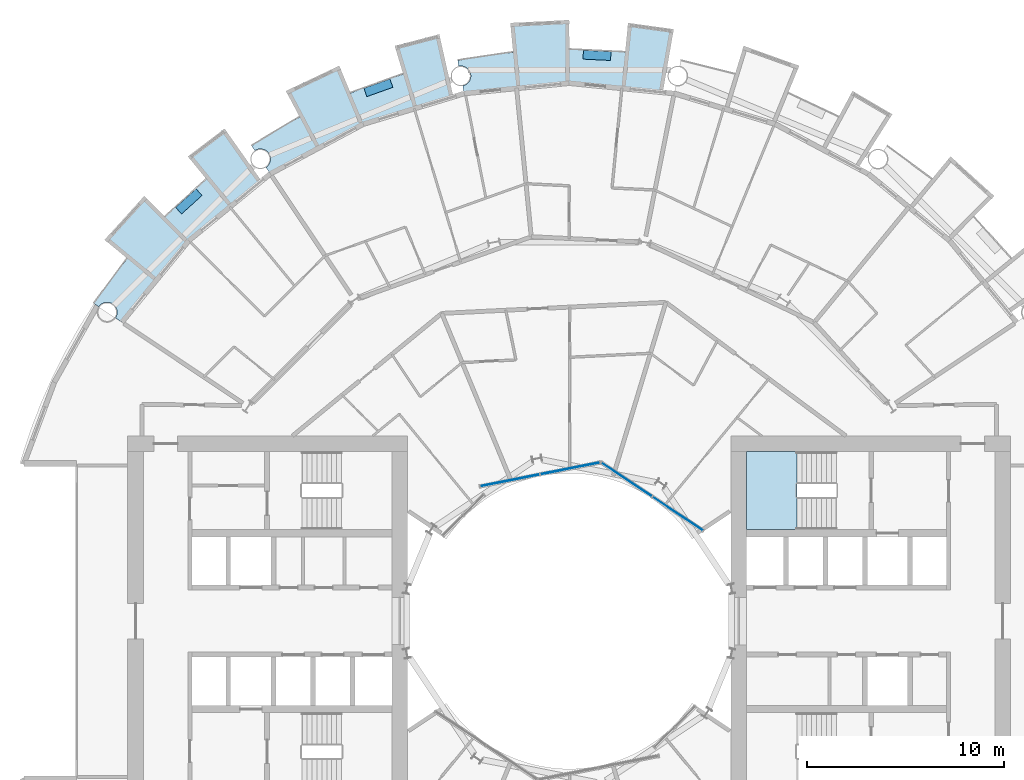
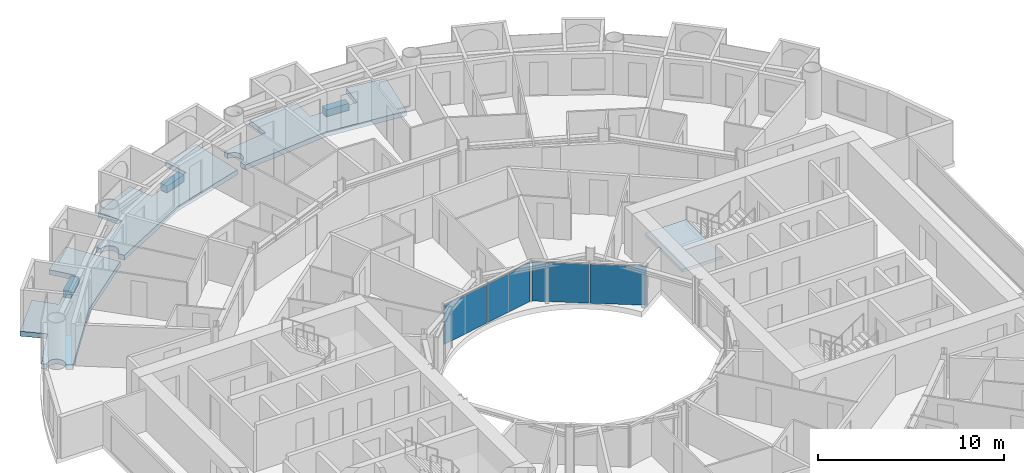
# One storey, part 11 of 26: 7 slabs, 4 plates, 3 elements without a shape of their own.
"""IFC4 building model written with IfcOpenShell, lengths in metres."""

from ifc_helpers import new_model, si_unit, direction, frame, origin, origin_2d, place, context, subcontext, project, spatial, polyline, rectangle, outline, extrude, material, layer, layer_set, type_object, element, aggregate, save


model = new_model("IFC4")

# Units and contexts
model_context = context("Model", 3, precision=1e-05, world=origin(), true_north=direction((0.0, 1.0)))
body_context = subcontext(model_context, "Body", "Model", "MODEL_VIEW")
ifc_project = project(units=[si_unit("LENGTHUNIT", "METRE"), si_unit("AREAUNIT", "SQUARE_METRE"), si_unit("VOLUMEUNIT", "CUBIC_METRE"), si_unit("PLANEANGLEUNIT", "RADIAN"), si_unit("MASSUNIT", "GRAM", prefix="KILO")], contexts=[model_context])

# Site, building, storey
site_placement = place(None, origin())
site = spatial("IfcSite", under=ifc_project, at=site_placement, CompositionType="ELEMENT")
building_placement = place(site_placement, origin())
building = spatial("IfcBuilding", under=site, at=building_placement, Name="Maasbend Ring Residences", CompositionType="ELEMENT")
storey_placement = place(building_placement, frame((0.0, 0.0, 44.14990234375)))
storey = spatial("IfcBuildingStorey", under=building, at=storey_placement, Name="L12", CompositionType="ELEMENT", Elevation=44.14990234375)

# Stair, slab
ifc_material_1 = material(Name="Concrete C40/50", Category="concrete")
stair_type = type_object("IfcStairType", Name="CORE STAIR 18 RISERS", PredefinedType="HALF_TURN_STAIR", material=ifc_material_1)
stair_placement = place(storey_placement, origin())
stair = element("IfcStair", 1, at=stair_placement, inside=storey, type_object=stair_type, Name="L12 Exit stair ST-E1", PredefinedType="HALF_TURN_STAIR")
ifc_material_2 = material(Name="Concrete C40/50", Category="concrete")
ifc_layer_1 = layer(ifc_material_2, 0.199951171875)
ifc_layer_set_1 = layer_set([ifc_layer_1], Name="Concrete C40/50")
slab_type_1 = type_object("IfcSlabType", Name="CORE STAIR LANDING 200", PredefinedType="LANDING", material=ifc_layer_set_1)
slab_1_placement = place(storey_placement, frame((0.0, 0.0, 1.3251953125)))
slab_1 = element("IfcSlab", 2, at=slab_1_placement, type_object=slab_type_1, Name="ST-E1 landing 1", PredefinedType="LANDING", context=body_context, shape_type="SweptSolid", body=[
    extrude(outline(polyline([(11.550048828125, 8.60009765625), (9.0, 8.60009765625), (9.0, 4.64990234375), (11.550048828125, 4.64990234375), (11.550048828125, 8.60009765625)])), origin(), (0.0, 0.0, 1.0), 0.199951171875),
])
aggregate(stair, [slab_1])

# Curtain wall, plates
ifc_material_3 = material(Name="Aluminium and clear glass", Category="aluminium")
ifc_layer_2 = layer(ifc_material_3, 0.179931640625)
ifc_layer_set_2 = layer_set([ifc_layer_2], Name="CW-W")
curtain_wall_type = type_object("IfcCurtainWallType", Name="CW-W", PredefinedType="NOTDEFINED", material=ifc_layer_set_2)
curtain_wall_1_placement = place(storey_placement, origin())
curtain_wall_1 = element("IfcCurtainWall", 3, at=curtain_wall_1_placement, inside=storey, type_object=curtain_wall_type, Name="Well curtain wall N1", PredefinedType="NOTDEFINED")
ifc_material_4 = material(Name="Glass clear laminated", Category="glass")
ifc_layer_3 = layer(ifc_material_4, 0.031982421875)
ifc_layer_set_3 = layer_set([ifc_layer_3], Name="CWP-W")
plate_type = type_object("IfcPlateType", Name="CWP-W", PredefinedType="CURTAIN_PANEL", material=ifc_layer_set_3)
plate_1_placement = place(storey_placement, frame((5.51123046875, 5.44580078125, 0.0), z_axis=(0.0, 0.0, 1.0), x_axis=(-0.831469612303, 0.55557023302, 0.0)))
plate_1 = element("IfcPlate", 4, at=plate_1_placement, type_object=plate_type, Name="Glass panel well face", PredefinedType="CURTAIN_PANEL", context=body_context, shape_type="SweptSolid", body=[
    extrude(rectangle(XDim=3.053955078125, YDim=0.031982421875, at=origin_2d()), origin(), (0.0, 0.0, 1.0), 2.580078125),
])
plate_2_placement = place(storey_placement, frame((2.922119140625, 7.17578125, 0.0), z_axis=(0.0, 0.0, 1.0), x_axis=(-0.831469612303, 0.55557023302, 0.0)))
plate_2 = element("IfcPlate", 5, at=plate_2_placement, type_object=plate_type, Name="Glass panel well face", PredefinedType="CURTAIN_PANEL", context=body_context, shape_type="SweptSolid", body=[
    extrude(rectangle(XDim=3.053955078125, YDim=0.031982421875, at=origin_2d()), origin(), (0.0, 0.0, 1.0), 2.580078125),
])
aggregate(curtain_wall_1, [plate_1, plate_2])

curtain_wall_2_placement = place(storey_placement, origin())
curtain_wall_2 = element("IfcCurtainWall", 6, at=curtain_wall_2_placement, inside=storey, type_object=curtain_wall_type, Name="Well curtain wall N2", PredefinedType="NOTDEFINED")
plate_3_placement = place(storey_placement, frame((0.04638671875, 7.747802734375, 0.0), z_axis=(0.0, 0.0, 1.0), x_axis=(-0.980785280403, -0.195090322016, 0.0)))
plate_3 = element("IfcPlate", 7, at=plate_3_placement, type_object=plate_type, Name="Glass panel well face", PredefinedType="CURTAIN_PANEL", context=body_context, shape_type="SweptSolid", body=[
    extrude(rectangle(XDim=3.053955078125, YDim=0.031982421875, at=origin_2d()), origin(), (0.0, 0.0, 1.0), 2.580078125),
])
plate_4_placement = place(storey_placement, frame((-3.0078125, 7.140380859375, 0.0), z_axis=(0.0, 0.0, 1.0), x_axis=(-0.980785280403, -0.195090322016, 0.0)))
plate_4 = element("IfcPlate", 8, at=plate_4_placement, type_object=plate_type, Name="Glass panel well face", PredefinedType="CURTAIN_PANEL", context=body_context, shape_type="SweptSolid", body=[
    extrude(rectangle(XDim=3.053955078125, YDim=0.031982421875, at=origin_2d()), origin(), (0.0, 0.0, 1.0), 2.580078125),
])
aggregate(curtain_wall_2, [plate_3, plate_4])

# Slabs
ifc_material_5 = material(Name="Planting with climbing greenery")
ifc_layer_4 = layer(ifc_material_5, 0.449951171875)
ifc_layer_set_4 = layer_set([ifc_layer_4], Name="PLANTER-LG")
slab_type_2 = type_object("IfcSlabType", Name="PLANTER-LG", PredefinedType="USERDEFINED", material=ifc_layer_set_4)
slab_2_placement = place(storey_placement, frame((0.0, 0.0, -0.02978515625)))
element("IfcSlab", 9, at=slab_2_placement, inside=storey, type_object=slab_type_2, Name="Planter with climbing greenery 3", ObjectType="PLANTER", PredefinedType="USERDEFINED", context=body_context, shape_type="SweptSolid", body=[
    extrude(outline(polyline([(2.1201171875, 28.89599609375), (0.721923828125, 28.965087890625), (0.699951171875, 28.514892578125), (2.097900390625, 28.446044921875), (2.1201171875, 28.89599609375)])), origin(), (0.0, 0.0, 1.0), 0.449951171875),
])
slab_3_placement = place(storey_placement, frame((0.0, 0.0, -0.02978515625)))
element("IfcSlab", 10, at=slab_3_placement, inside=storey, type_object=slab_type_2, Name="Planter with climbing greenery 4", ObjectType="PLANTER", PredefinedType="USERDEFINED", context=body_context, shape_type="SweptSolid", body=[
    extrude(outline(polyline([(-9.09912109375, 27.508056640625), (-10.4169921875, 27.035888671875), (-10.26611328125, 26.612060546875), (-8.947021484375, 27.083984375), (-9.09912109375, 27.508056640625)])), origin(), (0.0, 0.0, 1.0), 0.449951171875),
])
slab_4_placement = place(storey_placement, frame((0.0, 0.0, -0.02978515625)))
element("IfcSlab", 11, at=slab_4_placement, inside=storey, type_object=slab_type_2, Name="Planter with climbing greenery 5", ObjectType="PLANTER", PredefinedType="USERDEFINED", context=body_context, shape_type="SweptSolid", body=[
    extrude(outline(polyline([(-18.93310546875, 21.931884765625), (-19.969970703125, 20.991943359375), (-19.66796875, 20.657958984375), (-18.631103515625, 21.597900390625), (-18.93310546875, 21.931884765625)])), origin(), (0.0, 0.0, 1.0), 0.449951171875),
])
ifc_material_6 = material(Name="Concrete C40/50", Category="concrete")
ifc_layer_5 = layer(ifc_material_6, 0.199951171875)
ifc_layer_set_5 = layer_set([ifc_layer_5], Name="Concrete C40/50")
slab_type_3 = type_object("IfcSlabType", Name="SL-LOGGIA", PredefinedType="FLOOR", material=ifc_layer_set_5)
slab_5_placement = place(storey_placement, frame((0.0, 0.0, -0.349853515625)))
element("IfcSlab", 12, at=slab_5_placement, inside=storey, type_object=slab_type_3, Name="Loggia floor 1", PredefinedType="FLOOR", context=body_context, shape_type="SweptSolid", body=[
    extrude(outline(polyline([(-14.5, 25.114990234375), (-13.6708984375, 25.574951171875), (-13.6708984375, 25.575927734375), (-13.6708984375, 25.575927734375), (-13.6708984375, 25.575927734375), (-13.6708984375, 25.575927734375), (-13.6708984375, 25.575927734375), (-13.6708984375, 25.575927734375), (-13.6708984375, 25.575927734375), (-13.6708984375, 25.575927734375), (-13.6708984375, 25.575927734375), (-13.6708984375, 25.575927734375), (-13.6708984375, 25.575927734375), (-13.6708984375, 25.575927734375), (-13.6708984375, 25.575927734375), (-13.6708984375, 25.575927734375), (-13.6708984375, 25.575927734375), (-13.6708984375, 25.575927734375), (-14.3779296875, 26.89892578125), (-14.3779296875, 26.89892578125), (-14.3779296875, 26.89892578125), (-11.672119140625, 28.177978515625), (-11.672119140625, 28.177978515625), (-11.672119140625, 28.177978515625), (-11.097900390625, 26.79296875), (-11.097900390625, 26.79296875), (-11.097900390625, 26.79296875), (-11.097900390625, 26.79296875), (-11.097900390625, 26.79296875), (-11.097900390625, 26.79296875), (-11.097900390625, 26.79296875), (-11.097900390625, 26.79296875), (-11.097900390625, 26.79296875), (-11.097900390625, 26.79296875), (-11.097900390625, 26.79296875), (-11.097900390625, 26.79296875), (-11.097900390625, 26.79296875), (-11.097900390625, 26.79296875), (-11.096923828125, 26.79296875), (-11.096923828125, 26.79296875), (-11.096923828125, 26.79296875), (-10.215087890625, 27.14111328125), (-10.215087890625, 27.14111328125), (-9.322021484375, 27.4609375), (-9.322021484375, 27.4609375), (-8.4189453125, 27.7509765625), (-8.4189453125, 27.7509765625), (-8.4189453125, 27.7509765625), (-8.4189453125, 27.7509765625), (-8.4189453125, 27.7509765625), (-8.4189453125, 27.7509765625), (-8.41796875, 27.7509765625), (-8.41796875, 27.7509765625), (-8.41796875, 27.7509765625), (-8.41796875, 27.7509765625), (-8.41796875, 27.7509765625), (-8.41796875, 27.751953125), (-8.41796875, 27.751953125), (-8.41796875, 27.751953125), (-8.41796875, 27.751953125), (-8.41796875, 27.751953125), (-8.41796875, 27.751953125), (-8.85400390625, 29.18701171875), (-8.85400390625, 29.18701171875), (-8.85400390625, 29.18701171875), (-6.593994140625, 29.779052734375), (-6.593994140625, 29.779052734375), (-6.593994140625, 29.779052734375), (-5.89111328125, 26.60400390625), (-5.89111328125, 26.60400390625), (-5.89111328125, 26.60400390625), (-7.886962890625, 25.9990234375), (-10.447021484375, 25.221923828125), (-10.447021484375, 25.221923828125), (-10.447021484375, 25.221923828125), (-12.806884765625, 23.9609375), (-15.1669921875, 22.698974609375), (-15.1669921875, 22.698974609375), (-15.1669921875, 22.698974609375), (-15.385009765625, 23.02490234375), (-15.375, 23.031982421875), (-15.364013671875, 23.0390625), (-15.35498046875, 23.047119140625), (-15.344970703125, 23.054931640625), (-15.3349609375, 23.06298828125), (-15.325927734375, 23.071044921875), (-15.31689453125, 23.0791015625), (-15.30810546875, 23.087890625), (-15.299072265625, 23.096923828125), (-15.291015625, 23.10595703125), (-15.281982421875, 23.115966796875), (-15.27392578125, 23.125), (-15.26708984375, 23.135009765625), (-15.259033203125, 23.14501953125), (-15.251953125, 23.155029296875), (-15.2451171875, 23.1650390625), (-15.238037109375, 23.176025390625), (-15.23095703125, 23.18603515625), (-15.22509765625, 23.197021484375), (-15.218994140625, 23.2080078125), (-15.212890625, 23.218994140625), (-15.2080078125, 23.22998046875), (-15.202880859375, 23.241943359375), (-15.197998046875, 23.2529296875), (-15.193115234375, 23.264892578125), (-15.18896484375, 23.27587890625), (-15.18505859375, 23.2880859375), (-15.180908203125, 23.300048828125), (-15.177978515625, 23.31201171875), (-15.174072265625, 23.323974609375), (-15.1708984375, 23.3359375), (-15.1689453125, 23.347900390625), (-15.1669921875, 23.361083984375), (-15.1650390625, 23.373046875), (-15.1630859375, 23.385009765625), (-15.162109375, 23.39794921875), (-15.159912109375, 23.409912109375), (-15.159912109375, 23.422119140625), (-15.158935546875, 23.43505859375), (-15.158935546875, 23.447021484375), (-15.158935546875, 23.4599609375), (-15.159912109375, 23.471923828125), (-15.159912109375, 23.485107421875), (-15.162109375, 23.4970703125), (-15.1630859375, 23.510009765625), (-15.1650390625, 23.52197265625), (-15.1669921875, 23.533935546875), (-15.1689453125, 23.547119140625), (-15.1708984375, 23.55908203125), (-15.174072265625, 23.571044921875), (-15.177978515625, 23.5830078125), (-15.180908203125, 23.594970703125), (-15.18505859375, 23.60693359375), (-15.18896484375, 23.618896484375), (-15.193115234375, 23.6298828125), (-15.197998046875, 23.64208984375), (-15.202880859375, 23.653076171875), (-15.2080078125, 23.6650390625), (-15.212890625, 23.676025390625), (-15.218994140625, 23.68701171875), (-15.22509765625, 23.697998046875), (-15.23095703125, 23.708984375), (-15.238037109375, 23.718994140625), (-15.2451171875, 23.72998046875), (-15.251953125, 23.739990234375), (-15.259033203125, 23.75), (-15.26708984375, 23.760009765625), (-15.27392578125, 23.77001953125), (-15.281982421875, 23.779052734375), (-15.291015625, 23.7890625), (-15.299072265625, 23.798095703125), (-15.30810546875, 23.806884765625), (-15.31689453125, 23.81494140625), (-15.325927734375, 23.823974609375), (-15.3349609375, 23.83203125), (-15.344970703125, 23.840087890625), (-15.35498046875, 23.847900390625), (-15.364013671875, 23.85498046875), (-15.375, 23.863037109375), (-15.385009765625, 23.8701171875), (-15.39501953125, 23.876953125), (-15.406005859375, 23.883056640625), (-15.4169921875, 23.888916015625), (-15.427978515625, 23.89501953125), (-15.43896484375, 23.90087890625), (-15.449951171875, 23.906982421875), (-15.4609375, 23.912109375), (-15.472900390625, 23.9169921875), (-15.48388671875, 23.9208984375), (-15.49609375, 23.926025390625), (-15.508056640625, 23.929931640625), (-15.52001953125, 23.93408203125), (-15.531982421875, 23.93701171875), (-15.5439453125, 23.93994140625), (-15.555908203125, 23.943115234375), (-15.568115234375, 23.946044921875), (-15.580078125, 23.947998046875), (-15.593017578125, 23.949951171875), (-15.60498046875, 23.951904296875), (-15.616943359375, 23.952880859375), (-15.6298828125, 23.9541015625), (-15.64208984375, 23.955078125), (-15.655029296875, 23.955078125), (-15.6669921875, 23.955078125), (-15.679931640625, 23.955078125), (-15.69189453125, 23.955078125), (-15.7041015625, 23.9541015625), (-15.717041015625, 23.952880859375), (-15.72900390625, 23.951904296875), (-15.741943359375, 23.949951171875), (-15.75390625, 23.947998046875), (-15.76611328125, 23.946044921875), (-15.778076171875, 23.943115234375), (-15.791015625, 23.93994140625), (-15.802978515625, 23.93701171875), (-15.81494140625, 23.93408203125), (-15.825927734375, 23.929931640625), (-15.837890625, 23.926025390625), (-15.85009765625, 23.9208984375), (-15.862060546875, 23.9169921875), (-15.873046875, 23.912109375), (-15.884033203125, 23.906982421875), (-15.89599609375, 23.90087890625), (-15.906982421875, 23.89501953125), (-15.9169921875, 23.888916015625), (-15.927978515625, 23.883056640625), (-15.93896484375, 23.876953125), (-15.948974609375, 23.8701171875), (-16.112060546875, 24.113037109375), (-16.112060546875, 24.113037109375), (-16.112060546875, 24.113037109375), (-15.31396484375, 24.626953125), (-15.31396484375, 24.626953125), (-14.5, 25.114990234375), (-14.5, 25.114990234375)])), origin(), (0.0, 0.0, 1.0), 0.320068359375),
])
slab_6_placement = place(storey_placement, frame((0.0, 0.0, -0.349853515625)))
element("IfcSlab", 13, at=slab_6_placement, inside=storey, type_object=slab_type_3, Name="Loggia floor 3", PredefinedType="FLOOR", context=body_context, shape_type="SweptSolid", body=[
    extrude(outline(polyline([(-3.784912109375, 28.751953125), (-2.843017578125, 28.860107421875), (-2.843017578125, 28.860107421875), (-2.843017578125, 28.860107421875), (-2.843017578125, 28.860107421875), (-2.843017578125, 28.860107421875), (-2.843017578125, 28.860107421875), (-2.843017578125, 28.860107421875), (-2.843017578125, 28.860107421875), (-2.843017578125, 28.860107421875), (-2.843017578125, 28.861083984375), (-2.843017578125, 28.861083984375), (-2.843017578125, 28.861083984375), (-2.843017578125, 28.861083984375), (-2.843017578125, 28.861083984375), (-2.843017578125, 28.861083984375), (-2.843017578125, 28.861083984375), (-2.843017578125, 28.861083984375), (-2.989990234375, 30.35302734375), (-2.989990234375, 30.35302734375), (-2.989990234375, 30.35302734375), (0.0, 30.5), (0.0, 30.5), (0.0, 30.5), (0.0, 29.0), (0.0, 29.0), (0.0, 29.0), (0.0, 29.0), (0.0, 29.0), (0.0, 29.0), (0.0, 29.0), (0.0, 29.0), (0.0, 29.0), (0.0, 29.0), (0.0, 29.0), (0.0, 29.0), (0.0, 29.0), (0.0, 29.0), (0.0, 29.0), (0.0, 29.0), (0.0, 29.0), (0.948974609375, 28.98388671875), (0.948974609375, 28.98388671875), (1.89697265625, 28.93798828125), (1.89697265625, 28.93798828125), (2.842041015625, 28.860107421875), (2.842041015625, 28.860107421875), (2.842041015625, 28.860107421875), (2.842041015625, 28.860107421875), (2.842041015625, 28.860107421875), (2.842041015625, 28.860107421875), (2.842041015625, 28.860107421875), (2.842041015625, 28.860107421875), (2.842041015625, 28.861083984375), (2.842041015625, 28.861083984375), (2.842041015625, 28.861083984375), (2.842041015625, 28.861083984375), (2.842041015625, 28.861083984375), (2.843017578125, 28.861083984375), (2.843017578125, 28.861083984375), (2.843017578125, 28.861083984375), (2.843017578125, 28.861083984375), (2.989990234375, 30.35302734375), (2.989990234375, 30.35302734375), (2.989990234375, 30.35302734375), (5.303955078125, 30.034912109375), (5.303955078125, 30.034912109375), (5.303955078125, 30.034912109375), (4.739013671875, 26.8330078125), (4.739013671875, 26.8330078125), (4.739013671875, 26.8330078125), (2.6630859375, 27.0380859375), (0.0, 27.300048828125), (0.0, 27.300048828125), (0.0, 27.300048828125), (-2.6630859375, 27.0380859375), (-5.325927734375, 26.77490234375), (-5.325927734375, 26.77490234375), (-5.325927734375, 26.77490234375), (-5.402099609375, 27.159912109375), (-5.402099609375, 27.159912109375), (-5.389892578125, 27.162109375), (-5.3779296875, 27.1650390625), (-5.365966796875, 27.1689453125), (-5.35400390625, 27.172119140625), (-5.342041015625, 27.176025390625), (-5.330078125, 27.179931640625), (-5.319091796875, 27.18408203125), (-5.306884765625, 27.18896484375), (-5.2958984375, 27.194091796875), (-5.283935546875, 27.198974609375), (-5.27294921875, 27.2041015625), (-5.261962890625, 27.2099609375), (-5.2509765625, 27.216064453125), (-5.239990234375, 27.221923828125), (-5.22998046875, 27.22900390625), (-5.218994140625, 27.236083984375), (-5.208984375, 27.242919921875), (-5.198974609375, 27.25), (-5.18896484375, 27.258056640625), (-5.178955078125, 27.264892578125), (-5.169921875, 27.27294921875), (-5.159912109375, 27.281982421875), (-5.15087890625, 27.2900390625), (-5.14208984375, 27.299072265625), (-5.134033203125, 27.30810546875), (-5.125, 27.31689453125), (-5.116943359375, 27.325927734375), (-5.10888671875, 27.3359375), (-5.10107421875, 27.345947265625), (-5.093017578125, 27.35498046875), (-5.0859375, 27.365966796875), (-5.0791015625, 27.3759765625), (-5.072021484375, 27.385986328125), (-5.06591796875, 27.39697265625), (-5.05908203125, 27.407958984375), (-5.052978515625, 27.4189453125), (-5.048095703125, 27.429931640625), (-5.0419921875, 27.44091796875), (-5.037109375, 27.451904296875), (-5.031982421875, 27.464111328125), (-5.028076171875, 27.47509765625), (-5.02294921875, 27.487060546875), (-5.01904296875, 27.4990234375), (-5.014892578125, 27.510986328125), (-5.011962890625, 27.52294921875), (-5.009033203125, 27.534912109375), (-5.006103515625, 27.547119140625), (-5.0029296875, 27.55908203125), (-5.0009765625, 27.571044921875), (-4.9990234375, 27.583984375), (-4.9970703125, 27.595947265625), (-4.99609375, 27.60791015625), (-4.9951171875, 27.62109375), (-4.993896484375, 27.633056640625), (-4.993896484375, 27.64599609375), (-4.993896484375, 27.657958984375), (-4.993896484375, 27.6708984375), (-4.993896484375, 27.68310546875), (-4.9951171875, 27.695068359375), (-4.99609375, 27.7080078125), (-4.9970703125, 27.719970703125), (-4.9990234375, 27.73291015625), (-5.0009765625, 27.7451171875), (-5.0029296875, 27.757080078125), (-5.006103515625, 27.76904296875), (-5.009033203125, 27.781982421875), (-5.011962890625, 27.7939453125), (-5.014892578125, 27.805908203125), (-5.01904296875, 27.81689453125), (-5.02294921875, 27.8291015625), (-5.028076171875, 27.841064453125), (-5.031982421875, 27.85302734375), (-5.037109375, 27.864013671875), (-5.0419921875, 27.875), (-5.048095703125, 27.886962890625), (-5.052978515625, 27.89794921875), (-5.05908203125, 27.907958984375), (-5.06591796875, 27.9189453125), (-5.072021484375, 27.929931640625), (-5.0791015625, 27.93994140625), (-5.0859375, 27.950927734375), (-5.093017578125, 27.9609375), (-5.10107421875, 27.970947265625), (-5.10888671875, 27.97998046875), (-5.116943359375, 27.989990234375), (-5.125, 27.9990234375), (-5.134033203125, 28.008056640625), (-5.14208984375, 28.01708984375), (-5.15087890625, 28.02587890625), (-5.159912109375, 28.034912109375), (-5.169921875, 28.04296875), (-5.178955078125, 28.051025390625), (-5.18896484375, 28.05908203125), (-5.198974609375, 28.06591796875), (-5.208984375, 28.072998046875), (-5.218994140625, 28.080078125), (-5.22998046875, 28.0869140625), (-5.239990234375, 28.093994140625), (-5.2509765625, 28.10009765625), (-5.261962890625, 28.10595703125), (-5.27294921875, 28.112060546875), (-5.283935546875, 28.116943359375), (-5.2958984375, 28.123046875), (-5.306884765625, 28.126953125), (-5.319091796875, 28.132080078125), (-5.330078125, 28.135986328125), (-5.342041015625, 28.139892578125), (-5.35400390625, 28.14404296875), (-5.365966796875, 28.14794921875), (-5.3779296875, 28.15087890625), (-5.389892578125, 28.154052734375), (-5.402099609375, 28.156005859375), (-5.4150390625, 28.158935546875), (-5.427001953125, 28.160888671875), (-5.43896484375, 28.162109375), (-5.451904296875, 28.1640625), (-5.464111328125, 28.1650390625), (-5.47705078125, 28.1650390625), (-5.489013671875, 28.166015625), (-5.501953125, 28.166015625), (-5.513916015625, 28.166015625), (-5.52587890625, 28.1650390625), (-5.5390625, 28.1650390625), (-5.551025390625, 28.1640625), (-5.56396484375, 28.162109375), (-5.575927734375, 28.160888671875), (-5.587890625, 28.158935546875), (-5.60107421875, 28.156005859375), (-5.60107421875, 28.156005859375), (-5.657958984375, 28.443115234375), (-5.657958984375, 28.443115234375), (-5.657958984375, 28.443115234375), (-4.72412109375, 28.613037109375), (-4.72412109375, 28.613037109375), (-3.784912109375, 28.751953125), (-3.784912109375, 28.751953125)])), origin(), (0.0, 0.0, 1.0), 0.320068359375),
])
slab_7_placement = place(storey_placement, frame((0.0, 0.0, -0.349853515625)))
element("IfcSlab", 14, at=slab_7_placement, inside=storey, type_object=slab_type_3, Name="Loggia floor 5", PredefinedType="FLOOR", context=body_context, shape_type="SweptSolid", body=[
    extrude(outline(polyline([(-23.007080078125, 17.654052734375), (-22.41796875, 18.39697265625), (-22.41796875, 18.39697265625), (-22.41796875, 18.39697265625), (-22.41796875, 18.39697265625), (-22.41796875, 18.39697265625), (-22.41796875, 18.39697265625), (-22.41796875, 18.39697265625), (-22.41796875, 18.39697265625), (-22.41796875, 18.39697265625), (-22.41796875, 18.39697265625), (-22.41796875, 18.39697265625), (-22.41796875, 18.39794921875), (-22.41796875, 18.39794921875), (-22.41796875, 18.39794921875), (-22.41796875, 18.39794921875), (-22.41796875, 18.39794921875), (-22.41796875, 18.39794921875), (-23.576904296875, 19.34912109375), (-23.576904296875, 19.34912109375), (-23.576904296875, 19.34912109375), (-21.56689453125, 21.56689453125), (-21.56689453125, 21.56689453125), (-21.56689453125, 21.56689453125), (-20.506103515625, 20.506103515625), (-20.506103515625, 20.506103515625), (-20.506103515625, 20.506103515625), (-20.506103515625, 20.506103515625), (-20.506103515625, 20.506103515625), (-20.506103515625, 20.506103515625), (-20.506103515625, 20.506103515625), (-20.506103515625, 20.506103515625), (-20.506103515625, 20.506103515625), (-20.506103515625, 20.506103515625), (-20.506103515625, 20.506103515625), (-20.506103515625, 20.506103515625), (-20.506103515625, 20.506103515625), (-20.506103515625, 20.506103515625), (-20.506103515625, 20.506103515625), (-20.506103515625, 20.506103515625), (-20.506103515625, 20.506103515625), (-19.823974609375, 21.166015625), (-19.823974609375, 21.166015625), (-19.12109375, 21.802978515625), (-19.12109375, 21.802978515625), (-18.39794921875, 22.4169921875), (-18.39794921875, 22.4169921875), (-18.39794921875, 22.4169921875), (-18.39794921875, 22.4169921875), (-18.39794921875, 22.4169921875), (-18.39794921875, 22.4169921875), (-18.39794921875, 22.4169921875), (-18.39794921875, 22.4169921875), (-18.39794921875, 22.4169921875), (-18.39794921875, 22.4169921875), (-18.39794921875, 22.4169921875), (-18.39794921875, 22.4169921875), (-18.39794921875, 22.41796875), (-18.39794921875, 22.41796875), (-18.39794921875, 22.41796875), (-18.39794921875, 22.41796875), (-18.39794921875, 22.41796875), (-19.34912109375, 23.576904296875), (-19.34912109375, 23.576904296875), (-19.34912109375, 23.576904296875), (-17.488037109375, 24.989013671875), (-17.488037109375, 24.989013671875), (-17.488037109375, 24.989013671875), (-15.623046875, 22.324951171875), (-15.623046875, 22.324951171875), (-15.623046875, 22.324951171875), (-17.236083984375, 21.001953125), (-19.303955078125, 19.303955078125), (-19.303955078125, 19.303955078125), (-19.303955078125, 19.303955078125), (-21.001953125, 17.236083984375), (-22.698974609375, 15.1669921875), (-22.698974609375, 15.1669921875), (-22.698974609375, 15.1669921875), (-23.02490234375, 15.385009765625), (-23.02490234375, 15.385009765625), (-23.01806640625, 15.39501953125), (-23.011962890625, 15.406005859375), (-23.0048828125, 15.4169921875), (-22.9990234375, 15.427978515625), (-22.993896484375, 15.43896484375), (-22.988037109375, 15.449951171875), (-22.98291015625, 15.4609375), (-22.97802734375, 15.472900390625), (-22.972900390625, 15.48388671875), (-22.968994140625, 15.49609375), (-22.965087890625, 15.508056640625), (-22.9609375, 15.52001953125), (-22.9580078125, 15.531982421875), (-22.955078125, 15.5439453125), (-22.951904296875, 15.555908203125), (-22.948974609375, 15.568115234375), (-22.947021484375, 15.580078125), (-22.945068359375, 15.593017578125), (-22.943115234375, 15.60498046875), (-22.94189453125, 15.616943359375), (-22.94091796875, 15.6298828125), (-22.93994140625, 15.64208984375), (-22.93994140625, 15.655029296875), (-22.93896484375, 15.6669921875), (-22.93994140625, 15.679931640625), (-22.93994140625, 15.69189453125), (-22.94091796875, 15.7041015625), (-22.94189453125, 15.717041015625), (-22.943115234375, 15.72900390625), (-22.945068359375, 15.741943359375), (-22.947021484375, 15.75390625), (-22.948974609375, 15.76611328125), (-22.951904296875, 15.778076171875), (-22.955078125, 15.791015625), (-22.9580078125, 15.802978515625), (-22.9609375, 15.81494140625), (-22.965087890625, 15.825927734375), (-22.968994140625, 15.837890625), (-22.972900390625, 15.85009765625), (-22.97802734375, 15.862060546875), (-22.98291015625, 15.873046875), (-22.988037109375, 15.884033203125), (-22.993896484375, 15.89599609375), (-22.9990234375, 15.906982421875), (-23.0048828125, 15.9169921875), (-23.011962890625, 15.927978515625), (-23.01806640625, 15.93896484375), (-23.02490234375, 15.948974609375), (-23.031982421875, 15.9599609375), (-23.0390625, 15.969970703125), (-23.047119140625, 15.97998046875), (-23.054931640625, 15.989013671875), (-23.06298828125, 15.9990234375), (-23.071044921875, 16.008056640625), (-23.0791015625, 16.01708984375), (-23.087890625, 16.02587890625), (-23.096923828125, 16.034912109375), (-23.10595703125, 16.0439453125), (-23.115966796875, 16.052001953125), (-23.125, 16.06005859375), (-23.135009765625, 16.068115234375), (-23.14501953125, 16.074951171875), (-23.155029296875, 16.08203125), (-23.1650390625, 16.089111328125), (-23.176025390625, 16.095947265625), (-23.18603515625, 16.10302734375), (-23.197021484375, 16.10888671875), (-23.2080078125, 16.114990234375), (-23.218994140625, 16.12109375), (-23.22998046875, 16.1259765625), (-23.241943359375, 16.132080078125), (-23.2529296875, 16.135986328125), (-23.264892578125, 16.14111328125), (-23.27587890625, 16.14501953125), (-23.2880859375, 16.14892578125), (-23.300048828125, 16.153076171875), (-23.31201171875, 16.156982421875), (-23.323974609375, 16.159912109375), (-23.3359375, 16.1630859375), (-23.347900390625, 16.1650390625), (-23.361083984375, 16.16796875), (-23.373046875, 16.169921875), (-23.385009765625, 16.1708984375), (-23.39794921875, 16.173095703125), (-23.409912109375, 16.174072265625), (-23.422119140625, 16.174072265625), (-23.43505859375, 16.175048828125), (-23.447021484375, 16.175048828125), (-23.4599609375, 16.175048828125), (-23.471923828125, 16.174072265625), (-23.485107421875, 16.174072265625), (-23.4970703125, 16.173095703125), (-23.510009765625, 16.1708984375), (-23.52197265625, 16.169921875), (-23.533935546875, 16.16796875), (-23.547119140625, 16.1650390625), (-23.55908203125, 16.1630859375), (-23.571044921875, 16.159912109375), (-23.5830078125, 16.156982421875), (-23.594970703125, 16.153076171875), (-23.60693359375, 16.14892578125), (-23.618896484375, 16.14501953125), (-23.6298828125, 16.14111328125), (-23.64208984375, 16.135986328125), (-23.653076171875, 16.132080078125), (-23.6650390625, 16.1259765625), (-23.676025390625, 16.12109375), (-23.68701171875, 16.114990234375), (-23.697998046875, 16.10888671875), (-23.708984375, 16.10302734375), (-23.718994140625, 16.095947265625), (-23.72998046875, 16.089111328125), (-23.739990234375, 16.08203125), (-23.75, 16.074951171875), (-23.760009765625, 16.068115234375), (-23.77001953125, 16.06005859375), (-23.779052734375, 16.052001953125), (-23.7890625, 16.0439453125), (-23.798095703125, 16.034912109375), (-23.806884765625, 16.02587890625), (-23.81494140625, 16.01708984375), (-23.823974609375, 16.008056640625), (-23.83203125, 15.9990234375), (-23.840087890625, 15.989013671875), (-23.847900390625, 15.97998046875), (-23.85498046875, 15.969970703125), (-23.863037109375, 15.9599609375), (-23.8701171875, 15.948974609375), (-23.8701171875, 15.948974609375), (-24.113037109375, 16.112060546875), (-24.113037109375, 16.112060546875), (-24.113037109375, 16.112060546875), (-23.572998046875, 16.89208984375), (-23.572998046875, 16.89208984375), (-23.007080078125, 17.654052734375), (-23.007080078125, 17.654052734375)])), origin(), (0.0, 0.0, 1.0), 0.320068359375),
])

save(model, "model.ifc")
